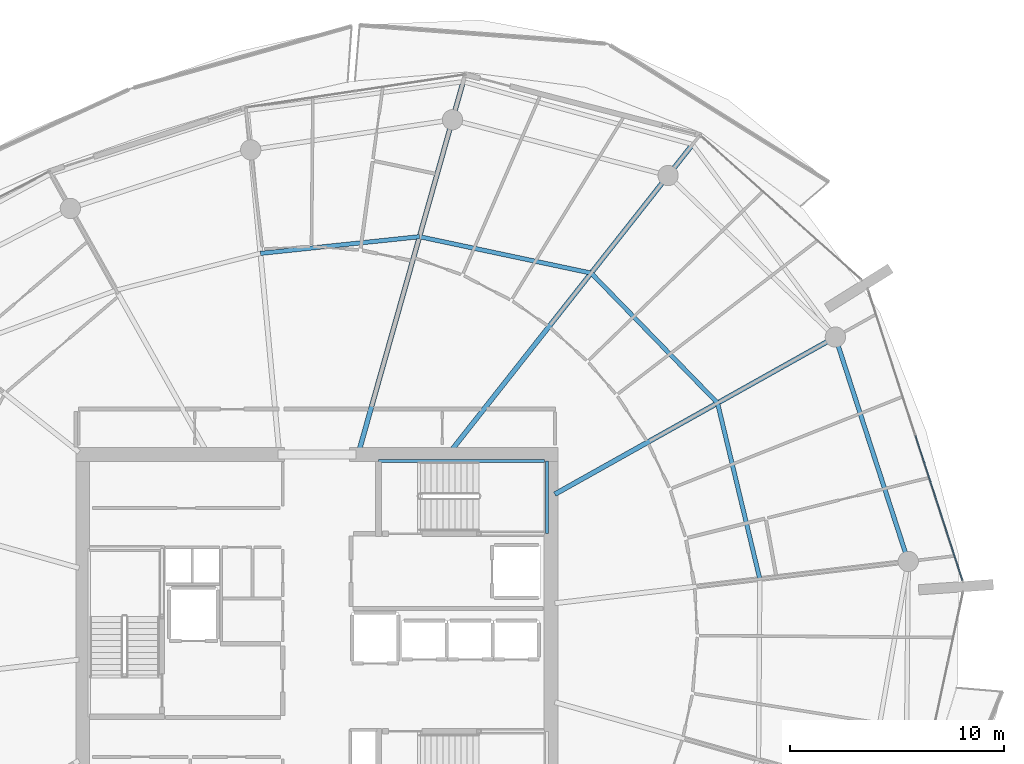
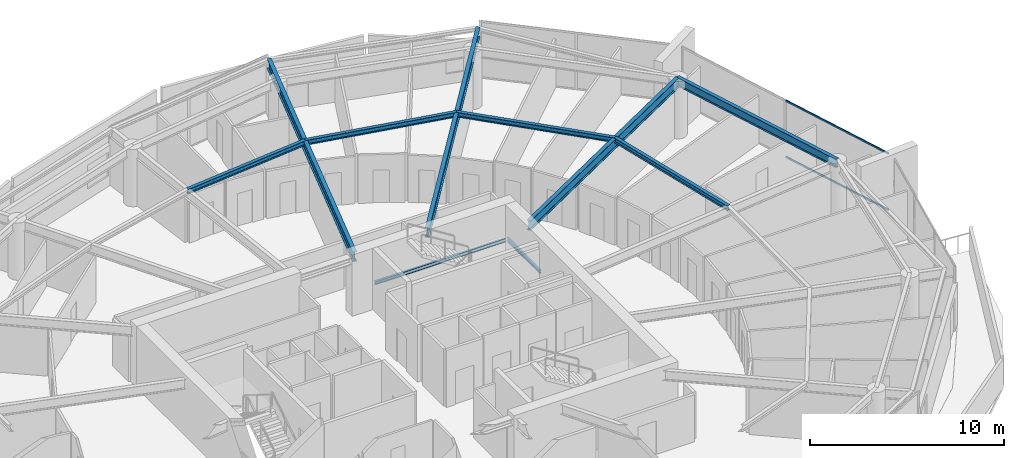
# One storey, part 13 of 29: 10 beams, 2 members, 1 element without a shape of its own.
"""IFC4 building model written with IfcOpenShell, lengths in metres."""

from ifc_helpers import new_model, si_unit, direction, frame, origin, origin_2d, place, context, subcontext, project, spatial, rectangle, i_section, extrude, material, layer, layer_set, material_profile, profile_set, type_object, element, aggregate, save


model = new_model("IFC4")

# Units and contexts
model_context = context("Model", 3, precision=1e-05, world=origin(), true_north=direction((0.0, 1.0)))
body_context = subcontext(model_context, "Body", "Model", "MODEL_VIEW")
ifc_project = project(units=[si_unit("LENGTHUNIT", "METRE"), si_unit("AREAUNIT", "SQUARE_METRE"), si_unit("VOLUMEUNIT", "CUBIC_METRE"), si_unit("PLANEANGLEUNIT", "RADIAN"), si_unit("MASSUNIT", "GRAM", prefix="KILO")], contexts=[model_context])

# Site, building, storey
site_placement = place(None, origin())
site = spatial("IfcSite", under=ifc_project, at=site_placement, CompositionType="ELEMENT")
building_placement = place(site_placement, origin())
building = spatial("IfcBuilding", under=site, at=building_placement, Name="Kazma Halo Residences", CompositionType="ELEMENT")
storey_placement = place(building_placement, frame((0.0, 0.0, 252.10009765625)))
storey = spatial("IfcBuildingStorey", under=building, at=storey_placement, Name="L63", CompositionType="ELEMENT", Elevation=252.10009765625)

# Beams
ifc_material_1 = material(Name="Steel S355", Category="steel")
ifc_material_profile_1 = material_profile(ifc_material_1, i_section(OverallWidth=0.22802734375, OverallDepth=0.60791015625, WebThickness=0.01123046875, FlangeThickness=0.017333984375, FilletRadius=0.01806640625, at=origin_2d()), Name="W610x113")
ifc_profile_set_1 = profile_set([ifc_material_profile_1], Name="Steel S355")
beam_type_1 = type_object("IfcBeamType", Name="BM-RAD-W610", PredefinedType="BEAM", material=ifc_profile_set_1)
beam_1_placement = place(storey_placement, frame((59.550048828125, 48.46826171875, 3.285888671875), z_axis=(0.872498817764, 0.488616222613, 0.0), x_axis=(-0.488616222613, 0.872498817764, 0.0)))
element("IfcBeam", 1, at=beam_1_placement, inside=storey, type_object=beam_type_1, Name="L63 radial floor beam 01", PredefinedType="BEAM", context=body_context, shape_type="SweptSolid", body=[
    extrude(i_section(OverallWidth=0.22802734375, OverallDepth=0.60791015625, WebThickness=0.01123046875, FlangeThickness=0.017333984375, FilletRadius=0.01806640625, at=origin_2d()), origin(), (0.0, 0.0, 1.0), 15.03759765625),
])
beam_2_placement = place(storey_placement, frame((54.700927734375, 50.5, 3.285888671875), z_axis=(0.6190864347, 0.785322854863, 0.0), x_axis=(-0.785322854863, 0.6190864347, 0.0)))
element("IfcBeam", 2, at=beam_2_placement, inside=storey, type_object=beam_type_1, Name="L63 radial floor beam 02", PredefinedType="BEAM", context=body_context, shape_type="SweptSolid", body=[
    extrude(i_section(OverallWidth=0.22802734375, OverallDepth=0.60791015625, WebThickness=0.01123046875, FlangeThickness=0.017333984375, FilletRadius=0.01806640625, at=origin_2d()), origin(), (0.0, 0.0, 1.0), 18.239013671875),
])
beam_3_placement = place(storey_placement, frame((50.397216796875, 50.5, 3.285888671875), z_axis=(0.271445290974, 0.962453871107, 0.0), x_axis=(-0.962453871107, 0.271445290974, 0.0)))
element("IfcBeam", 3, at=beam_3_placement, inside=storey, type_object=beam_type_1, Name="L63 radial floor beam 03", PredefinedType="BEAM", context=body_context, shape_type="SweptSolid", body=[
    extrude(i_section(OverallWidth=0.22802734375, OverallDepth=0.60791015625, WebThickness=0.01123046875, FlangeThickness=0.017333984375, FilletRadius=0.01806640625, at=origin_2d()), origin(), (0.0, 0.0, 1.0), 17.933349609375),
])
ifc_material_profile_2 = material_profile(ifc_material_1, i_section(OverallWidth=0.202880859375, OverallDepth=0.302978515625, WebThickness=0.007568359375, FlangeThickness=0.01318359375, FilletRadius=0.013916015625, at=origin_2d()), Name="W310x60")
ifc_profile_set_2 = profile_set([ifc_material_profile_2], Name="Steel S355")
beam_type_2 = type_object("IfcBeamType", Name="BM-SEC-W310A", PredefinedType="JOIST", material=ifc_profile_set_2)
beam_4_placement = place(storey_placement, frame((67.159912109375, 52.72998046875, 3.4384765625), z_axis=(-0.697145013687, 0.716930142964, 0.0), x_axis=(-0.716930142964, -0.697145013687, 0.0)))
element("IfcBeam", 4, at=beam_4_placement, inside=storey, type_object=beam_type_2, Name="L63 circumferential floor joist 01", PredefinedType="JOIST", context=body_context, shape_type="SweptSolid", body=[
    extrude(i_section(OverallWidth=0.202880859375, OverallDepth=0.302978515625, WebThickness=0.007568359375, FlangeThickness=0.01318359375, FilletRadius=0.013916015625, at=origin_2d()), origin(), (0.0, 0.0, 1.0), 8.477294921875),
])
beam_5_placement = place(storey_placement, frame((61.25, 58.8076171875, 3.4384765625), z_axis=(-0.978235588777, 0.207497308055, 0.0), x_axis=(-0.207497308055, -0.978235588777, 0.0)))
element("IfcBeam", 5, at=beam_5_placement, inside=storey, type_object=beam_type_2, Name="L63 circumferential floor joist 02", PredefinedType="JOIST", context=body_context, shape_type="SweptSolid", body=[
    extrude(i_section(OverallWidth=0.202880859375, OverallDepth=0.302978515625, WebThickness=0.007568359375, FlangeThickness=0.01318359375, FilletRadius=0.013916015625, at=origin_2d()), origin(), (0.0, 0.0, 1.0), 8.2080078125),
])
beam_6_placement = place(storey_placement, frame((53.220703125, 60.5107421875, 3.4384765625), z_axis=(-0.994528326067, -0.104467261141, 0.0), x_axis=(0.104467261141, -0.994528326067, 0.0)))
element("IfcBeam", 6, at=beam_6_placement, inside=storey, type_object=beam_type_2, Name="L63 circumferential floor joist 03", PredefinedType="JOIST", context=body_context, shape_type="SweptSolid", body=[
    extrude(i_section(OverallWidth=0.202880859375, OverallDepth=0.302978515625, WebThickness=0.007568359375, FlangeThickness=0.01318359375, FilletRadius=0.013916015625, at=origin_2d()), origin(), (0.0, 0.0, 1.0), 7.478515625),
])
beam_7_placement = place(storey_placement, frame((69.13720703125, 44.501708984375, 3.4384765625), z_axis=(-0.23365336492, 0.97231996023, 0.0), x_axis=(-0.97231996023, -0.23365336492, 0.0)))
element("IfcBeam", 7, at=beam_7_placement, inside=storey, type_object=beam_type_2, Name="L63 circumferential floor joist 16", PredefinedType="JOIST", context=body_context, shape_type="SweptSolid", body=[
    extrude(i_section(OverallWidth=0.202880859375, OverallDepth=0.302978515625, WebThickness=0.007568359375, FlangeThickness=0.01318359375, FilletRadius=0.013916015625, at=origin_2d()), origin(), (0.0, 0.0, 1.0), 8.46240234375),
])
ifc_material_profile_3 = material_profile(ifc_material_1, i_section(OverallWidth=0.208984375, OverallDepth=0.532958984375, WebThickness=0.01025390625, FlangeThickness=0.015625, FilletRadius=0.01611328125, at=origin_2d()), Name="W530x92")
ifc_profile_set_3 = profile_set([ifc_material_profile_3], Name="Steel S355")
beam_type_3 = type_object("IfcBeamType", Name="BM-SPN-W530", PredefinedType="BEAM", material=ifc_profile_set_3)
beam_8_placement = place(storey_placement, frame((76.07958984375, 45.323486328125, 3.323486328125), z_axis=(-0.309015517474, 0.951056996168, 0.0), x_axis=(-0.951056996168, -0.309015517474, 0.0)))
element("IfcBeam", 8, at=beam_8_placement, inside=storey, type_object=beam_type_3, Name="L63 perimeter ring beam 16", PredefinedType="BEAM", context=body_context, shape_type="SweptSolid", body=[
    extrude(i_section(OverallWidth=0.208984375, OverallDepth=0.532958984375, WebThickness=0.01025390625, FlangeThickness=0.015625, FilletRadius=0.01611328125, at=origin_2d()), origin(), (0.0, 0.0, 1.0), 11.032470703125),
])
ifc_material_profile_4 = material_profile(ifc_material_1, i_section(OverallWidth=0.133056640625, OverallDepth=0.20703125, WebThickness=0.005859375, FlangeThickness=0.00830078125, FilletRadius=0.010009765625, at=origin_2d()), Name="W200x26.6")
ifc_profile_set_4 = profile_set([ifc_material_profile_4], Name="Steel S355")
beam_type_4 = type_object("IfcBeamType", Name="BM-TRIM-W200", PredefinedType="BEAM", material=ifc_profile_set_4)
beam_9_placement = place(storey_placement, frame((51.31005859375, 50.02001953125, 1.619873046875), z_axis=(1.0, 0.0, 0.0), x_axis=(0.0, 1.0, 0.0)))
element("IfcBeam", 9, at=beam_9_placement, inside=storey, type_object=beam_type_4, Name="L63 ST-02 landing north wall ledger", PredefinedType="BEAM", context=body_context, shape_type="SweptSolid", body=[
    extrude(i_section(OverallWidth=0.133056640625, OverallDepth=0.20703125, WebThickness=0.005859375, FlangeThickness=0.00830078125, FilletRadius=0.010009765625, at=origin_2d()), origin(), (0.0, 0.0, 1.0), 7.760009765625),
])
beam_10_placement = place(storey_placement, frame((59.18994140625, 46.6201171875, 1.619873046875), z_axis=(0.0, 1.0, 0.0), x_axis=(-1.0, 0.0, 0.0)))
element("IfcBeam", 10, at=beam_10_placement, inside=storey, type_object=beam_type_4, Name="L63 ST-02 landing end wall ledger", PredefinedType="BEAM", context=body_context, shape_type="SweptSolid", body=[
    extrude(i_section(OverallWidth=0.133056640625, OverallDepth=0.20703125, WebThickness=0.005859375, FlangeThickness=0.00830078125, FilletRadius=0.010009765625, at=origin_2d()), origin(), (0.0, 0.0, 1.0), 3.39990234375),
])

# Curtain wall, members
ifc_material_2 = material(Name="Aluminium AW-6063 T6 and Triple-Silver Low-E Glass", Category="aluminium")
ifc_layer = layer(ifc_material_2, 0.139892578125)
ifc_layer_set = layer_set([ifc_layer], Name="Aluminium AW-6063 T6 and Triple-Silver Low-E Glass")
curtain_wall_type = type_object("IfcCurtainWallType", Name="CW-SYS-5", PredefinedType="NOTDEFINED", material=ifc_layer_set)
curtain_wall_placement = place(storey_placement, origin())
curtain_wall = element("IfcCurtainWall", 11, at=curtain_wall_placement, inside=storey, type_object=curtain_wall_type, Name="L63 unitised curtain wall B16", PredefinedType="NOTDEFINED")
ifc_material_3 = material(Name="Aluminium AW-6063 T6", Category="aluminium")
ifc_material_profile_5 = material_profile(ifc_material_3, rectangle(XDim=0.06005859375, YDim=0.10498046875, at=origin_2d()), Name="CWT-60x105")
ifc_profile_set_5 = profile_set([ifc_material_profile_5], Name="Aluminium AW-6063 T6")
member_type = type_object("IfcMemberType", Name="CW-SYS-5-TRN", PredefinedType="USERDEFINED", material=ifc_profile_set_5)
member_1_placement = place(storey_placement, frame((78.613525390625, 44.44091796875, 0.02978515625), z_axis=(-0.308995987448, 0.951063341603, 0.0), x_axis=(-0.951063341603, -0.308995987448, 0.0)))
member_1 = element("IfcMember", 12, at=member_1_placement, type_object=member_type, Name="CWS-5 transom 1.1", ObjectType="TRANSOM", PredefinedType="USERDEFINED", context=body_context, shape_type="SweptSolid", body=[
    extrude(rectangle(XDim=0.06005859375, YDim=0.10498046875, at=origin_2d()), origin(), (0.0, 0.0, 1.0), 7.108642578125),
])
member_2_placement = place(storey_placement, frame((78.613525390625, 44.44091796875, 3.559814453125), z_axis=(-0.308995987448, 0.951063341603, 0.0), x_axis=(-0.951063341603, -0.308995987448, 0.0)))
member_2 = element("IfcMember", 13, at=member_2_placement, type_object=member_type, Name="CWS-5 transom 1.2", ObjectType="TRANSOM", PredefinedType="USERDEFINED", context=body_context, shape_type="SweptSolid", body=[
    extrude(rectangle(XDim=0.06005859375, YDim=0.10498046875, at=origin_2d()), origin(), (0.0, 0.0, 1.0), 7.108642578125),
])
aggregate(curtain_wall, [member_1, member_2])

save(model, "model.ifc")
